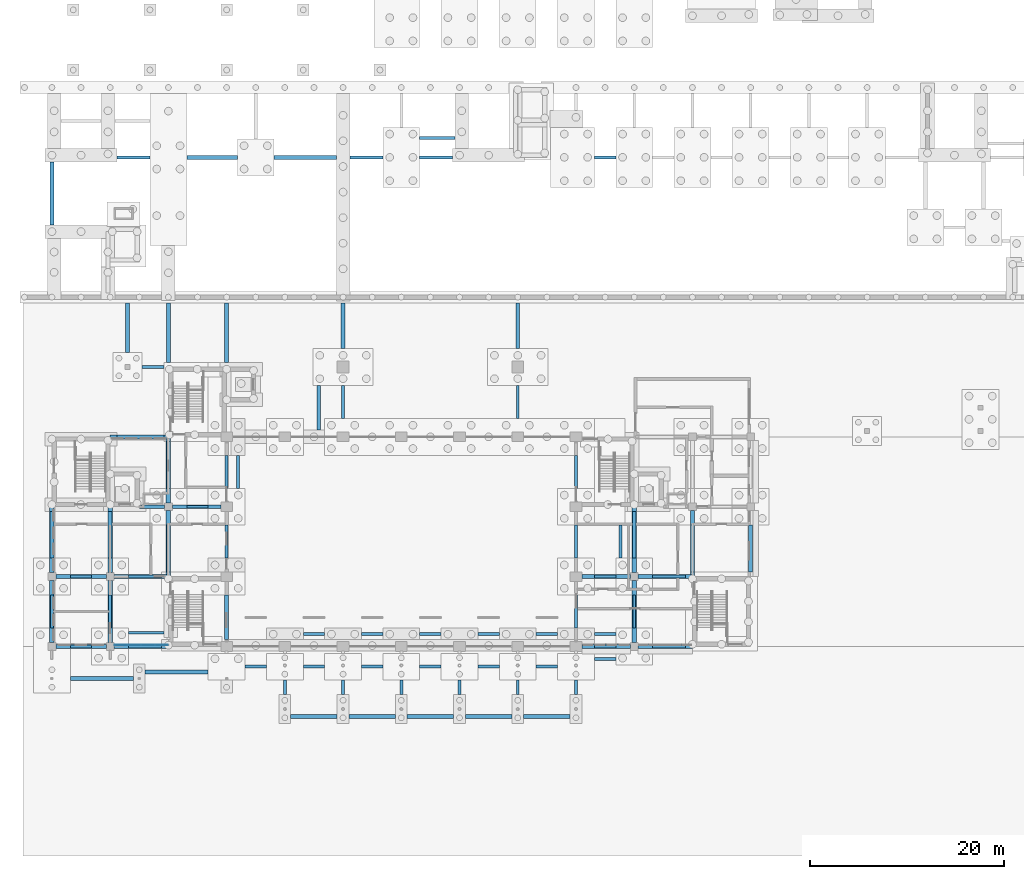
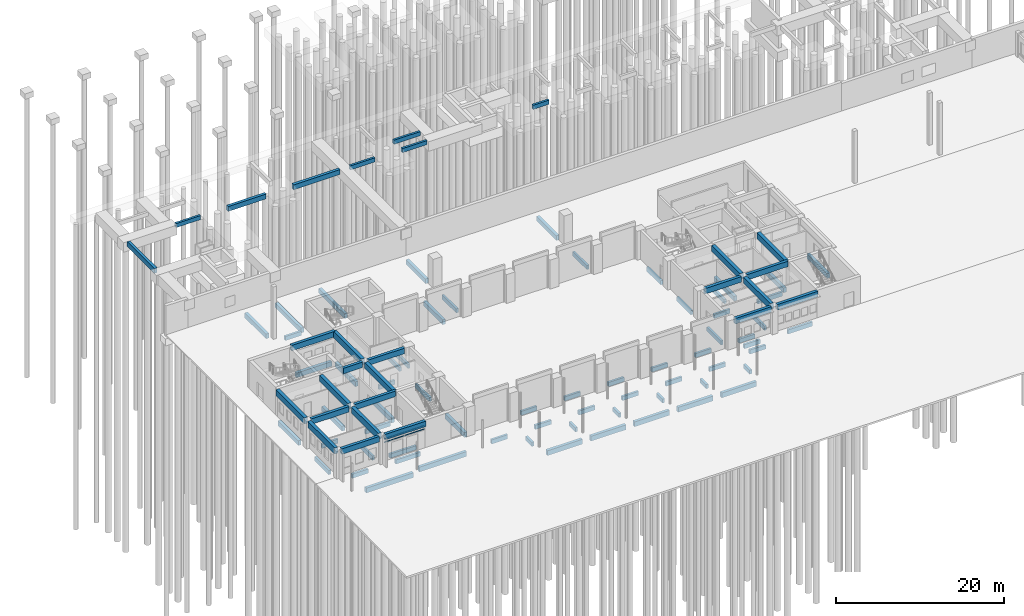
# One storey, part 13 of 37: 92 beams, 8 members, 1 element without a shape of its own.
"""IFC4 building model written with IfcOpenShell, lengths in metres."""

from ifc_helpers import new_model, si_unit, direction, frame, origin, origin_2d, place, context, subcontext, project, spatial, rectangle, hollow_rectangle, extrude, material, material_profile, profile_set, type_object, element, aggregate, save


model = new_model("IFC4")

# Units and contexts
model_context = context("Model", 3, precision=1e-05, world=origin(), true_north=direction((0.0, 1.0)))
body_context = subcontext(model_context, "Body", "Model", "MODEL_VIEW")
ifc_project = project(units=[si_unit("LENGTHUNIT", "METRE"), si_unit("AREAUNIT", "SQUARE_METRE"), si_unit("VOLUMEUNIT", "CUBIC_METRE"), si_unit("PLANEANGLEUNIT", "RADIAN"), si_unit("MASSUNIT", "GRAM", prefix="KILO")], contexts=[model_context])

# Site, building, storey
site_placement = place(None, origin())
site = spatial("IfcSite", under=ifc_project, at=site_placement, CompositionType="ELEMENT")
building_placement = place(site_placement, origin())
building = spatial("IfcBuilding", under=site, at=building_placement, Name="Laocheng Heights Fire and Rescue Headquarters", CompositionType="ELEMENT")
storey_placement = place(building_placement, origin())
storey = spatial("IfcBuildingStorey", under=building, at=storey_placement, Name="L00", CompositionType="ELEMENT", Elevation=0.0)

# Curtain wall, members
ifc_material_1 = material(Name="Aluminium unitised curtain wall, low-e double glazing", Category="aluminium")
curtain_wall_type = type_object("IfcCurtainWallType", Name="CW 5600 x 600 FLANK W UNIT", PredefinedType="NOTDEFINED", material=ifc_material_1)
curtain_wall_placement = place(storey_placement, origin())
curtain_wall = element("IfcCurtainWall", 1, at=curtain_wall_placement, inside=storey, type_object=curtain_wall_type, Name="Flank_W entrance glazing L00", PredefinedType="NOTDEFINED")
ifc_material_2 = material(Name="Aluminium 6063-T5 extrusion", Category="aluminium")
ifc_material_profile_1 = material_profile(ifc_material_2, hollow_rectangle(XDim=0.050048828125, YDim=0.10009765625, WallThickness=0.0029296875, at=origin_2d()), Name="AL TRANSOM 100x50x3")
ifc_profile_set_1 = profile_set([ifc_material_profile_1], Name="Aluminium 6063-T5 extrusion")
member_type = type_object("IfcMemberType", Name="AL CURTAIN WALL TRANSOM 100x50x3", PredefinedType="USERDEFINED", material=ifc_profile_set_1)
member_1_placement = place(storey_placement, frame((6.4599609375, 0.14990234375, 2.64990234375), z_axis=(1.0, 0.0, 0.0), x_axis=(0.0, 1.0, 0.0)))
member_1 = element("IfcMember", 2, at=member_1_placement, type_object=member_type, Name="X1-E transom 1.1", ObjectType="TRANSOM", PredefinedType="USERDEFINED", context=body_context, shape_type="SweptSolid", body=[
    extrude(hollow_rectangle(XDim=0.050048828125, YDim=0.10009765625, WallThickness=0.0029296875, at=origin_2d()), origin(), (0.0, 0.0, 1.0), 1.31005859375),
])
member_2_placement = place(storey_placement, frame((6.4599609375, 0.14990234375, 3.14990234375), z_axis=(1.0, 0.0, 0.0), x_axis=(0.0, 1.0, 0.0)))
member_2 = element("IfcMember", 3, at=member_2_placement, type_object=member_type, Name="X1-E transom 1.2", ObjectType="TRANSOM", PredefinedType="USERDEFINED", context=body_context, shape_type="SweptSolid", body=[
    extrude(hollow_rectangle(XDim=0.050048828125, YDim=0.10009765625, WallThickness=0.0029296875, at=origin_2d()), origin(), (0.0, 0.0, 1.0), 1.31005859375),
])
member_3_placement = place(storey_placement, frame((7.830078125, 0.14990234375, 2.64990234375), z_axis=(1.0, 0.0, 0.0), x_axis=(0.0, 1.0, 0.0)))
member_3 = element("IfcMember", 4, at=member_3_placement, type_object=member_type, Name="X1-E transom 2.1", ObjectType="TRANSOM", PredefinedType="USERDEFINED", context=body_context, shape_type="SweptSolid", body=[
    extrude(hollow_rectangle(XDim=0.050048828125, YDim=0.10009765625, WallThickness=0.0029296875, at=origin_2d()), origin(), (0.0, 0.0, 1.0), 1.33984375),
])
member_4_placement = place(storey_placement, frame((7.830078125, 0.14990234375, 3.14990234375), z_axis=(1.0, 0.0, 0.0), x_axis=(0.0, 1.0, 0.0)))
member_4 = element("IfcMember", 5, at=member_4_placement, type_object=member_type, Name="X1-E transom 2.2", ObjectType="TRANSOM", PredefinedType="USERDEFINED", context=body_context, shape_type="SweptSolid", body=[
    extrude(hollow_rectangle(XDim=0.050048828125, YDim=0.10009765625, WallThickness=0.0029296875, at=origin_2d()), origin(), (0.0, 0.0, 1.0), 1.33984375),
])
member_5_placement = place(storey_placement, frame((9.22998046875, 0.14990234375, 2.64990234375), z_axis=(1.0, 0.0, 0.0), x_axis=(0.0, 1.0, 0.0)))
member_5 = element("IfcMember", 6, at=member_5_placement, type_object=member_type, Name="X1-E transom 3.1", ObjectType="TRANSOM", PredefinedType="USERDEFINED", context=body_context, shape_type="SweptSolid", body=[
    extrude(hollow_rectangle(XDim=0.050048828125, YDim=0.10009765625, WallThickness=0.0029296875, at=origin_2d()), origin(), (0.0, 0.0, 1.0), 1.340087890625),
])
member_6_placement = place(storey_placement, frame((9.22998046875, 0.14990234375, 3.14990234375), z_axis=(1.0, 0.0, 0.0), x_axis=(0.0, 1.0, 0.0)))
member_6 = element("IfcMember", 7, at=member_6_placement, type_object=member_type, Name="X1-E transom 3.2", ObjectType="TRANSOM", PredefinedType="USERDEFINED", context=body_context, shape_type="SweptSolid", body=[
    extrude(hollow_rectangle(XDim=0.050048828125, YDim=0.10009765625, WallThickness=0.0029296875, at=origin_2d()), origin(), (0.0, 0.0, 1.0), 1.340087890625),
])
member_7_placement = place(storey_placement, frame((10.6298828125, 0.14990234375, 2.64990234375), z_axis=(1.0, 0.0, 0.0), x_axis=(0.0, 1.0, 0.0)))
member_7 = element("IfcMember", 8, at=member_7_placement, type_object=member_type, Name="X1-E transom 4.1", ObjectType="TRANSOM", PredefinedType="USERDEFINED", context=body_context, shape_type="SweptSolid", body=[
    extrude(hollow_rectangle(XDim=0.050048828125, YDim=0.10009765625, WallThickness=0.0029296875, at=origin_2d()), origin(), (0.0, 0.0, 1.0), 1.31005859375),
])
member_8_placement = place(storey_placement, frame((10.6298828125, 0.14990234375, 3.14990234375), z_axis=(1.0, 0.0, 0.0), x_axis=(0.0, 1.0, 0.0)))
member_8 = element("IfcMember", 9, at=member_8_placement, type_object=member_type, Name="X1-E transom 4.2", ObjectType="TRANSOM", PredefinedType="USERDEFINED", context=body_context, shape_type="SweptSolid", body=[
    extrude(hollow_rectangle(XDim=0.050048828125, YDim=0.10009765625, WallThickness=0.0029296875, at=origin_2d()), origin(), (0.0, 0.0, 1.0), 1.31005859375),
])
aggregate(curtain_wall, [member_1, member_2, member_3, member_4, member_5, member_6, member_7, member_8])

# Beams
ifc_material_3 = material(Name="Concrete C40", Category="concrete")
ifc_material_profile_2 = material_profile(ifc_material_3, rectangle(XDim=0.39990234375, YDim=0.800048828125, at=origin_2d()), Name="RC BEAM 400x800 PAVILION FLOOR")
ifc_profile_set_2 = profile_set([ifc_material_profile_2], Name="Concrete C40")
beam_type_1 = type_object("IfcBeamType", Name="RC BEAM 400x800 PAVILION FLOOR", PredefinedType="BEAM", material=ifc_profile_set_2)
beam_1_placement = place(storey_placement, frame((0.39990234375, 0.0, 3.60009765625), z_axis=(1.0, 0.0, 0.0), x_axis=(0.0, 1.0, 0.0)))
element("IfcBeam", 10, at=beam_1_placement, inside=storey, type_object=beam_type_1, Name="Pavilion beam", PredefinedType="BEAM", context=body_context, shape_type="SweptSolid", body=[
    extrude(rectangle(XDim=0.39990234375, YDim=0.800048828125, at=origin_2d()), origin(), (0.0, 0.0, 1.0), 5.2001953125),
])
beam_2_placement = place(storey_placement, frame((6.39990234375, 0.0, 3.60009765625), z_axis=(1.0, 0.0, 0.0), x_axis=(0.0, 1.0, 0.0)))
element("IfcBeam", 11, at=beam_2_placement, inside=storey, type_object=beam_type_1, Name="Pavilion beam", PredefinedType="BEAM", context=body_context, shape_type="SweptSolid", body=[
    extrude(rectangle(XDim=0.39990234375, YDim=0.800048828125, at=origin_2d()), origin(), (0.0, 0.0, 1.0), 5.60009765625),
])
beam_3_placement = place(storey_placement, frame((0.39990234375, 7.199951171875, 3.60009765625), z_axis=(1.0, 0.0, 0.0), x_axis=(0.0, 1.0, 0.0)))
element("IfcBeam", 12, at=beam_3_placement, inside=storey, type_object=beam_type_1, Name="Pavilion beam", PredefinedType="BEAM", context=body_context, shape_type="SweptSolid", body=[
    extrude(rectangle(XDim=0.39990234375, YDim=0.800048828125, at=origin_2d()), origin(), (0.0, 0.0, 1.0), 5.2001953125),
])
beam_4_placement = place(storey_placement, frame((6.39990234375, 7.199951171875, 3.60009765625), z_axis=(1.0, 0.0, 0.0), x_axis=(0.0, 1.0, 0.0)))
element("IfcBeam", 13, at=beam_4_placement, inside=storey, type_object=beam_type_1, Name="Pavilion beam", PredefinedType="BEAM", context=body_context, shape_type="SweptSolid", body=[
    extrude(rectangle(XDim=0.39990234375, YDim=0.800048828125, at=origin_2d()), origin(), (0.0, 0.0, 1.0), 5.60009765625),
])
beam_5_placement = place(storey_placement, frame((9.0, 14.39990234375, 3.60009765625), z_axis=(1.0, 0.0, 0.0), x_axis=(0.0, 1.0, 0.0)))
element("IfcBeam", 14, at=beam_5_placement, inside=storey, type_object=beam_type_1, Name="Pavilion beam", PredefinedType="BEAM", context=body_context, shape_type="SweptSolid", body=[
    extrude(rectangle(XDim=0.39990234375, YDim=0.800048828125, at=origin_2d()), origin(), (0.0, 0.0, 1.0), 2.60009765625),
])
beam_6_placement = place(storey_placement, frame((12.39990234375, 14.39990234375, 3.60009765625), z_axis=(1.0, 0.0, 0.0), x_axis=(0.0, 1.0, 0.0)))
element("IfcBeam", 15, at=beam_6_placement, inside=storey, type_object=beam_type_1, Name="Pavilion beam", PredefinedType="BEAM", context=body_context, shape_type="SweptSolid", body=[
    extrude(rectangle(XDim=0.39990234375, YDim=0.800048828125, at=origin_2d()), origin(), (0.0, 0.0, 1.0), 5.0),
])
beam_7_placement = place(storey_placement, frame((6.0, 21.60009765625, 3.60009765625), z_axis=(1.0, 0.0, 0.0), x_axis=(0.0, 1.0, 0.0)))
element("IfcBeam", 16, at=beam_7_placement, inside=storey, type_object=beam_type_1, Name="Pavilion beam", PredefinedType="BEAM", context=body_context, shape_type="SweptSolid", body=[
    extrude(rectangle(XDim=0.39990234375, YDim=0.800048828125, at=origin_2d()), origin(), (0.0, 0.0, 1.0), 6.0),
])
beam_8_placement = place(storey_placement, frame((54.60009765625, 0.0, 3.60009765625), z_axis=(1.0, 0.0, 0.0), x_axis=(0.0, 1.0, 0.0)))
element("IfcBeam", 17, at=beam_8_placement, inside=storey, type_object=beam_type_1, Name="Pavilion beam", PredefinedType="BEAM", context=body_context, shape_type="SweptSolid", body=[
    extrude(rectangle(XDim=0.39990234375, YDim=0.800048828125, at=origin_2d()), origin(), (0.0, 0.0, 1.0), 5.0),
])
beam_9_placement = place(storey_placement, frame((60.39990234375, 0.0, 3.60009765625), z_axis=(1.0, 0.0, 0.0), x_axis=(0.0, 1.0, 0.0)))
element("IfcBeam", 18, at=beam_9_placement, inside=storey, type_object=beam_type_1, Name="Pavilion beam", PredefinedType="BEAM", context=body_context, shape_type="SweptSolid", body=[
    extrude(rectangle(XDim=0.39990234375, YDim=0.800048828125, at=origin_2d()), origin(), (0.0, 0.0, 1.0), 5.60009765625),
])
beam_10_placement = place(storey_placement, frame((54.60009765625, 7.199951171875, 3.60009765625), z_axis=(1.0, 0.0, 0.0), x_axis=(0.0, 1.0, 0.0)))
element("IfcBeam", 19, at=beam_10_placement, inside=storey, type_object=beam_type_1, Name="Pavilion beam", PredefinedType="BEAM", context=body_context, shape_type="SweptSolid", body=[
    extrude(rectangle(XDim=0.39990234375, YDim=0.800048828125, at=origin_2d()), origin(), (0.0, 0.0, 1.0), 5.0),
])
beam_11_placement = place(storey_placement, frame((60.39990234375, 7.199951171875, 3.60009765625), z_axis=(1.0, 0.0, 0.0), x_axis=(0.0, 1.0, 0.0)))
element("IfcBeam", 20, at=beam_11_placement, inside=storey, type_object=beam_type_1, Name="Pavilion beam", PredefinedType="BEAM", context=body_context, shape_type="SweptSolid", body=[
    extrude(rectangle(XDim=0.39990234375, YDim=0.800048828125, at=origin_2d()), origin(), (0.0, 0.0, 1.0), 5.60009765625),
])
ifc_material_4 = material(Name="Concrete C40", Category="concrete")
ifc_material_profile_3 = material_profile(ifc_material_4, rectangle(XDim=0.449951171875, YDim=0.89990234375, at=origin_2d()), Name="RC BEAM 450x900 PAVILION FLOOR")
ifc_profile_set_3 = profile_set([ifc_material_profile_3], Name="Concrete C40")
beam_type_2 = type_object("IfcBeamType", Name="RC BEAM 450x900 PAVILION FLOOR", PredefinedType="BEAM", material=ifc_profile_set_3)
beam_12_placement = place(storey_placement, frame((0.0, 0.39990234375, 3.550048828125), z_axis=(0.0, 1.0, 0.0), x_axis=(-1.0, 0.0, 0.0)))
element("IfcBeam", 21, at=beam_12_placement, inside=storey, type_object=beam_type_2, Name="Pavilion beam", PredefinedType="BEAM", context=body_context, shape_type="SweptSolid", body=[
    extrude(rectangle(XDim=0.449951171875, YDim=0.89990234375, at=origin_2d()), origin(), (0.0, 0.0, 1.0), 6.400146484375),
])
beam_13_placement = place(storey_placement, frame((0.0, 7.60009765625, 3.550048828125), z_axis=(0.0, 1.0, 0.0), x_axis=(-1.0, 0.0, 0.0)))
element("IfcBeam", 22, at=beam_13_placement, inside=storey, type_object=beam_type_2, Name="Pavilion beam", PredefinedType="BEAM", context=body_context, shape_type="SweptSolid", body=[
    extrude(rectangle(XDim=0.449951171875, YDim=0.89990234375, at=origin_2d()), origin(), (0.0, 0.0, 1.0), 6.7998046875),
])
beam_14_placement = place(storey_placement, frame((6.0, 0.39990234375, 3.550048828125), z_axis=(0.0, 1.0, 0.0), x_axis=(-1.0, 0.0, 0.0)))
element("IfcBeam", 23, at=beam_14_placement, inside=storey, type_object=beam_type_2, Name="Pavilion beam", PredefinedType="BEAM", context=body_context, shape_type="SweptSolid", body=[
    extrude(rectangle(XDim=0.449951171875, YDim=0.89990234375, at=origin_2d()), origin(), (0.0, 0.0, 1.0), 6.400146484375),
])
beam_15_placement = place(storey_placement, frame((6.0, 7.60009765625, 3.550048828125), z_axis=(0.0, 1.0, 0.0), x_axis=(-1.0, 0.0, 0.0)))
element("IfcBeam", 24, at=beam_15_placement, inside=storey, type_object=beam_type_2, Name="Pavilion beam", PredefinedType="BEAM", context=body_context, shape_type="SweptSolid", body=[
    extrude(rectangle(XDim=0.449951171875, YDim=0.89990234375, at=origin_2d()), origin(), (0.0, 0.0, 1.0), 6.7998046875),
])
for number, where, z_axis, x_axis, name in (
    (25, (12.0, 7.199951171875, 3.550048828125), (0.0, 1.0, 0.0), (-1.0, 0.0, 0.0), "Pavilion beam"),
    (26, (12.0, 14.800048828125, 3.550048828125), (0.0, 1.0, 0.0), (-1.0, 0.0, 0.0), "Pavilion beam"),
):
    element("IfcBeam", number, at=place(storey_placement, frame(where, z_axis=z_axis, x_axis=x_axis)), inside=storey, type_object=beam_type_2, Name=name, PredefinedType="BEAM", context=body_context, shape_type="SweptSolid", body=[
        extrude(rectangle(XDim=0.449951171875, YDim=0.89990234375, at=origin_2d()), origin(), (0.0, 0.0, 1.0), 6.800048828125),
    ])
beam_16_placement = place(storey_placement, frame((60.0, 0.39990234375, 3.550048828125), z_axis=(0.0, 1.0, 0.0), x_axis=(-1.0, 0.0, 0.0)))
element("IfcBeam", 27, at=beam_16_placement, inside=storey, type_object=beam_type_2, Name="Pavilion beam", PredefinedType="BEAM", context=body_context, shape_type="SweptSolid", body=[
    extrude(rectangle(XDim=0.449951171875, YDim=0.89990234375, at=origin_2d()), origin(), (0.0, 0.0, 1.0), 6.400146484375),
])
beam_17_placement = place(storey_placement, frame((60.0, 7.60009765625, 3.550048828125), z_axis=(0.0, 1.0, 0.0), x_axis=(-1.0, 0.0, 0.0)))
element("IfcBeam", 28, at=beam_17_placement, inside=storey, type_object=beam_type_2, Name="Pavilion beam", PredefinedType="BEAM", context=body_context, shape_type="SweptSolid", body=[
    extrude(rectangle(XDim=0.449951171875, YDim=0.89990234375, at=origin_2d()), origin(), (0.0, 0.0, 1.0), 6.7998046875),
])
beam_18_placement = place(storey_placement, frame((66.0, 7.199951171875, 3.550048828125), z_axis=(0.0, 1.0, 0.0), x_axis=(-1.0, 0.0, 0.0)))
element("IfcBeam", 29, at=beam_18_placement, inside=storey, type_object=beam_type_2, Name="Pavilion beam", PredefinedType="BEAM", context=body_context, shape_type="SweptSolid", body=[
    extrude(rectangle(XDim=0.449951171875, YDim=0.89990234375, at=origin_2d()), origin(), (0.0, 0.0, 1.0), 6.800048828125),
])
ifc_material_5 = material(Name="Concrete C40", Category="concrete")
ifc_material_profile_4 = material_profile(ifc_material_5, rectangle(XDim=0.300048828125, YDim=0.60009765625, at=origin_2d()), Name="RC GROUND BEAM 300x600")
ifc_profile_set_4 = profile_set([ifc_material_profile_4], Name="Concrete C40")
beam_type_3 = type_object("IfcBeamType", Name="RC GROUND BEAM 300x600", PredefinedType="BEAM", material=ifc_profile_set_4)
for number, where, z_axis, x_axis, name in (
    (30, (24.0, -4.949951171875, -0.678955078125), (0.0, 1.0, 0.0), (-1.0, 0.0, 0.0), "Ground beam GB226"),
    (31, (30.0, -4.949951171875, -0.678955078125), (0.0, 1.0, 0.0), (-1.0, 0.0, 0.0), "Ground beam GB227"),
    (32, (36.0, -4.949951171875, -0.678955078125), (0.0, 1.0, 0.0), (-1.0, 0.0, 0.0), "Ground beam GB228"),
    (33, (42.0, -4.949951171875, -0.678955078125), (0.0, 1.0, 0.0), (-1.0, 0.0, 0.0), "Ground beam GB229"),
    (34, (48.0, -4.949951171875, -0.678955078125), (0.0, 1.0, 0.0), (-1.0, 0.0, 0.0), "Ground beam GB230"),
    (35, (54.0, -4.949951171875, -0.678955078125), (0.0, 1.0, 0.0), (-1.0, 0.0, 0.0), "Ground beam GB231"),
):
    element("IfcBeam", number, at=place(storey_placement, frame(where, z_axis=z_axis, x_axis=x_axis)), inside=storey, type_object=beam_type_3, Name=name, PredefinedType="BEAM", context=body_context, shape_type="SweptSolid", body=[
        extrude(rectangle(XDim=0.300048828125, YDim=0.60009765625, at=origin_2d()), origin(), (0.0, 0.0, 1.0), 1.5),
    ])
for number, where, z_axis, x_axis, name in (
    (36, (19.89990234375, -2.074951171875, -0.589111328125), (1.0, 0.0, 0.0), (0.0, 1.0, 0.0), "Ground beam GB233"),
    (37, (25.89990234375, -2.074951171875, -0.589111328125), (1.0, 0.0, 0.0), (0.0, 1.0, 0.0), "Ground beam GB234"),
    (38, (31.89990234375, -2.074951171875, -0.589111328125), (1.0, 0.0, 0.0), (0.0, 1.0, 0.0), "Ground beam GB235"),
    (39, (37.89990234375, -2.074951171875, -0.589111328125), (1.0, 0.0, 0.0), (0.0, 1.0, 0.0), "Ground beam GB236"),
    (40, (43.89990234375, -2.074951171875, -0.589111328125), (1.0, 0.0, 0.0), (0.0, 1.0, 0.0), "Ground beam GB237"),
    (41, (49.89990234375, -2.074951171875, -0.589111328125), (1.0, 0.0, 0.0), (0.0, 1.0, 0.0), "Ground beam GB238"),
    (42, (55.89990234375, -1.300048828125, -0.589111328125), (1.0, 0.0, 0.0), (0.0, 1.0, 0.0), "Ground beam GB239"),
    (43, (1.89990234375, 0.0, -0.550048828125), (1.0, 0.0, 0.0), (0.0, 1.0, 0.0), "Ground beam GB28"),
):
    element("IfcBeam", number, at=place(storey_placement, frame(where, z_axis=z_axis, x_axis=x_axis)), inside=storey, type_object=beam_type_3, Name=name, PredefinedType="BEAM", context=body_context, shape_type="SweptSolid", body=[
        extrude(rectangle(XDim=0.300048828125, YDim=0.60009765625, at=origin_2d()), origin(), (0.0, 0.0, 1.0), 2.2001953125),
    ])
beam_19_placement = place(storey_placement, frame((7.89990234375, 0.0, -0.589111328125), z_axis=(1.0, 0.0, 0.0), x_axis=(0.0, 1.0, 0.0)))
element("IfcBeam", 44, at=beam_19_placement, inside=storey, type_object=beam_type_3, Name="Ground beam GB247", PredefinedType="BEAM", context=body_context, shape_type="SweptSolid", body=[
    extrude(rectangle(XDim=0.300048828125, YDim=0.60009765625, at=origin_2d()), origin(), (0.0, 0.0, 1.0), 3.400146484375),
])
beam_20_placement = place(storey_placement, frame((55.89990234375, 0.0, -0.589111328125), z_axis=(1.0, 0.0, 0.0), x_axis=(0.0, 1.0, 0.0)))
element("IfcBeam", 45, at=beam_20_placement, inside=storey, type_object=beam_type_3, Name="Ground beam GB248", PredefinedType="BEAM", context=body_context, shape_type="SweptSolid", body=[
    extrude(rectangle(XDim=0.300048828125, YDim=0.60009765625, at=origin_2d()), origin(), (0.0, 0.0, 1.0), 2.2001953125),
])
beam_21_placement = place(storey_placement, frame((61.89990234375, 0.0, -0.550048828125), z_axis=(1.0, 0.0, 0.0), x_axis=(0.0, 1.0, 0.0)))
element("IfcBeam", 46, at=beam_21_placement, inside=storey, type_object=beam_type_3, Name="Ground beam GB31", PredefinedType="BEAM", context=body_context, shape_type="SweptSolid", body=[
    extrude(rectangle(XDim=0.300048828125, YDim=0.60009765625, at=origin_2d()), origin(), (0.0, 0.0, 1.0), 3.400146484375),
])
for number, where, z_axis, x_axis, name in (
    (47, (25.89990234375, 1.300048828125, -0.589111328125), (1.0, 0.0, 0.0), (0.0, 1.0, 0.0), "Ground beam GB251"),
    (48, (31.89990234375, 1.300048828125, -0.589111328125), (1.0, 0.0, 0.0), (0.0, 1.0, 0.0), "Ground beam GB252"),
    (49, (37.89990234375, 1.300048828125, -0.589111328125), (1.0, 0.0, 0.0), (0.0, 1.0, 0.0), "Ground beam GB253"),
    (50, (43.89990234375, 1.300048828125, -0.589111328125), (1.0, 0.0, 0.0), (0.0, 1.0, 0.0), "Ground beam GB254"),
    (51, (49.89990234375, 1.300048828125, -0.589111328125), (1.0, 0.0, 0.0), (0.0, 1.0, 0.0), "Ground beam GB255"),
    (52, (55.89990234375, 1.300048828125, -0.589111328125), (1.0, 0.0, 0.0), (0.0, 1.0, 0.0), "Ground beam GB256"),
):
    element("IfcBeam", number, at=place(storey_placement, frame(where, z_axis=z_axis, x_axis=x_axis)), inside=storey, type_object=beam_type_3, Name=name, PredefinedType="BEAM", context=body_context, shape_type="SweptSolid", body=[
        extrude(rectangle(XDim=0.300048828125, YDim=0.60009765625, at=origin_2d()), origin(), (0.0, 0.0, 1.0), 2.2001953125),
    ])
beam_22_placement = place(storey_placement, frame((7.89990234375, 1.41259765625, -0.589111328125), z_axis=(1.0, 0.0, 0.0), x_axis=(0.0, 1.0, 0.0)))
element("IfcBeam", 53, at=beam_22_placement, inside=storey, type_object=beam_type_3, Name="Ground beam GB257", PredefinedType="BEAM", context=body_context, shape_type="SweptSolid", body=[
    extrude(rectangle(XDim=0.300048828125, YDim=0.60009765625, at=origin_2d()), origin(), (0.0, 0.0, 1.0), 3.625),
])
for number, where, z_axis, x_axis, name in (
    (54, (0.0, 1.89990234375, -0.550048828125), (0.0, 1.0, 0.0), (-1.0, 0.0, 0.0), "Ground beam GB44"),
    (55, (6.0, 1.89990234375, -0.550048828125), (0.0, 1.0, 0.0), (-1.0, 0.0, 0.0), "Ground beam GB45"),
    (56, (54.0, 1.89990234375, -0.589111328125), (0.0, 1.0, 0.0), (-1.0, 0.0, 0.0), "Ground beam GB258"),
    (57, (60.0, 1.89990234375, -0.550048828125), (0.0, 1.0, 0.0), (-1.0, 0.0, 0.0), "Ground beam GB47"),
):
    element("IfcBeam", number, at=place(storey_placement, frame(where, z_axis=z_axis, x_axis=x_axis)), inside=storey, type_object=beam_type_3, Name=name, PredefinedType="BEAM", context=body_context, shape_type="SweptSolid", body=[
        extrude(rectangle(XDim=0.300048828125, YDim=0.60009765625, at=origin_2d()), origin(), (0.0, 0.0, 1.0), 3.400146484375),
    ])
beam_23_placement = place(storey_placement, frame((1.89990234375, 7.199951171875, -0.550048828125), z_axis=(1.0, 0.0, 0.0), x_axis=(0.0, 1.0, 0.0)))
element("IfcBeam", 58, at=beam_23_placement, inside=storey, type_object=beam_type_3, Name="Ground beam GB52", PredefinedType="BEAM", context=body_context, shape_type="SweptSolid", body=[
    extrude(rectangle(XDim=0.300048828125, YDim=0.60009765625, at=origin_2d()), origin(), (0.0, 0.0, 1.0), 2.2001953125),
])
beam_24_placement = place(storey_placement, frame((7.89990234375, 7.199951171875, -0.589111328125), z_axis=(1.0, 0.0, 0.0), x_axis=(0.0, 1.0, 0.0)))
element("IfcBeam", 59, at=beam_24_placement, inside=storey, type_object=beam_type_3, Name="Ground beam GB259", PredefinedType="BEAM", context=body_context, shape_type="SweptSolid", body=[
    extrude(rectangle(XDim=0.300048828125, YDim=0.60009765625, at=origin_2d()), origin(), (0.0, 0.0, 1.0), 3.400146484375),
])
beam_25_placement = place(storey_placement, frame((55.89990234375, 7.199951171875, -0.550048828125), z_axis=(1.0, 0.0, 0.0), x_axis=(0.0, 1.0, 0.0)))
element("IfcBeam", 60, at=beam_25_placement, inside=storey, type_object=beam_type_3, Name="Ground beam GB54", PredefinedType="BEAM", context=body_context, shape_type="SweptSolid", body=[
    extrude(rectangle(XDim=0.300048828125, YDim=0.60009765625, at=origin_2d()), origin(), (0.0, 0.0, 1.0), 2.2001953125),
])
beam_26_placement = place(storey_placement, frame((61.89990234375, 7.199951171875, -0.550048828125), z_axis=(1.0, 0.0, 0.0), x_axis=(0.0, 1.0, 0.0)))
element("IfcBeam", 61, at=beam_26_placement, inside=storey, type_object=beam_type_3, Name="Ground beam GB55", PredefinedType="BEAM", context=body_context, shape_type="SweptSolid", body=[
    extrude(rectangle(XDim=0.300048828125, YDim=0.60009765625, at=origin_2d()), origin(), (0.0, 0.0, 1.0), 3.400146484375),
])
for number, where, z_axis, x_axis, name in (
    (62, (18.0, 9.10009765625, -0.589111328125), (0.0, 1.0, 0.0), (-1.0, 0.0, 0.0), "Ground beam GB261"),
    (63, (54.0, 9.10009765625, -0.550048828125), (0.0, 1.0, 0.0), (-1.0, 0.0, 0.0), "Ground beam GB65"),
    (64, (58.58740234375, 9.10009765625, -0.550048828125), (0.0, 1.0, 0.0), (-1.0, 0.0, 0.0), "Ground beam GB66"),
):
    element("IfcBeam", number, at=place(storey_placement, frame(where, z_axis=z_axis, x_axis=x_axis)), inside=storey, type_object=beam_type_3, Name=name, PredefinedType="BEAM", context=body_context, shape_type="SweptSolid", body=[
        extrude(rectangle(XDim=0.300048828125, YDim=0.60009765625, at=origin_2d()), origin(), (0.0, 0.0, 1.0), 3.39990234375),
    ])
beam_27_placement = place(storey_placement, frame((13.89990234375, 14.39990234375, -0.550048828125), z_axis=(1.0, 0.0, 0.0), x_axis=(0.0, 1.0, 0.0)))
element("IfcBeam", 65, at=beam_27_placement, inside=storey, type_object=beam_type_3, Name="Ground beam GB72", PredefinedType="BEAM", context=body_context, shape_type="SweptSolid", body=[
    extrude(rectangle(XDim=0.300048828125, YDim=0.60009765625, at=origin_2d()), origin(), (0.0, 0.0, 1.0), 2.2001953125),
])
for number, where, z_axis, x_axis, name in (
    (66, (18.0, 16.300048828125, -0.550048828125), (0.0, 1.0, 0.0), (-1.0, 0.0, 0.0), "Ground beam GB78"),
    (67, (19.1875, 16.300048828125, -0.550048828125), (0.0, 1.0, 0.0), (-1.0, 0.0, 0.0), "Ground beam GB79"),
    (68, (54.0, 16.300048828125, -0.550048828125), (0.0, 1.0, 0.0), (-1.0, 0.0, 0.0), "Ground beam GB80"),
    (69, (30.0, 23.5, -0.60009765625), (0.0, 1.0, 0.0), (-1.0, 0.0, 0.0), "Ground beam GB94"),
    (70, (48.0, 23.5, -0.60009765625), (0.0, 1.0, 0.0), (-1.0, 0.0, 0.0), "Ground beam GB95"),
):
    element("IfcBeam", number, at=place(storey_placement, frame(where, z_axis=z_axis, x_axis=x_axis)), inside=storey, type_object=beam_type_3, Name=name, PredefinedType="BEAM", context=body_context, shape_type="SweptSolid", body=[
        extrude(rectangle(XDim=0.300048828125, YDim=0.60009765625, at=origin_2d()), origin(), (0.0, 0.0, 1.0), 3.39990234375),
    ])
beam_28_placement = place(storey_placement, frame((9.300048828125, 28.800048828125, -0.550048828125), z_axis=(1.0, 0.0, 0.0), x_axis=(0.0, 1.0, 0.0)))
element("IfcBeam", 71, at=beam_28_placement, inside=storey, type_object=beam_type_3, Name="Ground beam GB99", PredefinedType="BEAM", context=body_context, shape_type="SweptSolid", body=[
    extrude(rectangle(XDim=0.300048828125, YDim=0.60009765625, at=origin_2d()), origin(), (0.0, 0.0, 1.0), 2.224853515625),
])
for number, where, z_axis, x_axis, name in (
    (72, (6.699951171875, 50.39990234375, 3.699951171875), (1.0, 0.0, 0.0), (0.0, 1.0, 0.0), "Ground beam GB112"),
    (73, (30.699951171875, 50.39990234375, 3.699951171875), (1.0, 0.0, 0.0), (0.0, 1.0, 0.0), "Ground beam GB115"),
    (74, (37.89990234375, 50.39990234375, 3.699951171875), (1.0, 0.0, 0.0), (0.0, 1.0, 0.0), "Ground beam GB116"),
):
    element("IfcBeam", number, at=place(storey_placement, frame(where, z_axis=z_axis, x_axis=x_axis)), inside=storey, type_object=beam_type_3, Name=name, PredefinedType="BEAM", context=body_context, shape_type="SweptSolid", body=[
        extrude(rectangle(XDim=0.300048828125, YDim=0.60009765625, at=origin_2d()), origin(), (0.0, 0.0, 1.0), 3.400146484375),
    ])
beam_29_placement = place(storey_placement, frame((55.89990234375, 50.39990234375, 3.699951171875), z_axis=(1.0, 0.0, 0.0), x_axis=(0.0, 1.0, 0.0)))
element("IfcBeam", 75, at=beam_29_placement, inside=storey, type_object=beam_type_3, Name="Ground beam GB117", PredefinedType="BEAM", context=body_context, shape_type="SweptSolid", body=[
    extrude(rectangle(XDim=0.300048828125, YDim=0.60009765625, at=origin_2d()), origin(), (0.0, 0.0, 1.0), 2.2001953125),
])
beam_30_placement = place(storey_placement, frame((37.89990234375, 52.41259765625, 3.699951171875), z_axis=(1.0, 0.0, 0.0), x_axis=(0.0, 1.0, 0.0)))
element("IfcBeam", 76, at=beam_30_placement, inside=storey, type_object=beam_type_3, Name="Ground beam GB129", PredefinedType="BEAM", context=body_context, shape_type="SweptSolid", body=[
    extrude(rectangle(XDim=0.300048828125, YDim=0.60009765625, at=origin_2d()), origin(), (0.0, 0.0, 1.0), 3.625),
])
ifc_material_6 = material(Name="Concrete C40", Category="concrete")
ifc_material_profile_5 = material_profile(ifc_material_6, rectangle(XDim=0.39990234375, YDim=0.699951171875, at=origin_2d()), Name="RC GROUND BEAM 400x700")
ifc_profile_set_5 = profile_set([ifc_material_profile_5], Name="Concrete C40")
beam_type_4 = type_object("IfcBeamType", Name="RC GROUND BEAM 400x700", PredefinedType="BEAM", material=ifc_profile_set_5)
for number, where, z_axis, x_axis, name in (
    (77, (24.60009765625, -7.199951171875, -0.72900390625), (1.0, 0.0, 0.0), (0.0, 1.0, 0.0), "Ground beam GB221"),
    (78, (30.60009765625, -7.199951171875, -0.72900390625), (1.0, 0.0, 0.0), (0.0, 1.0, 0.0), "Ground beam GB222"),
    (79, (36.60009765625, -7.199951171875, -0.72900390625), (1.0, 0.0, 0.0), (0.0, 1.0, 0.0), "Ground beam GB223"),
    (80, (42.60009765625, -7.199951171875, -0.72900390625), (1.0, 0.0, 0.0), (0.0, 1.0, 0.0), "Ground beam GB224"),
    (81, (48.60009765625, -7.199951171875, -0.72900390625), (1.0, 0.0, 0.0), (0.0, 1.0, 0.0), "Ground beam GB225"),
):
    element("IfcBeam", number, at=place(storey_placement, frame(where, z_axis=z_axis, x_axis=x_axis)), inside=storey, type_object=beam_type_4, Name=name, PredefinedType="BEAM", context=body_context, shape_type="SweptSolid", body=[
        extrude(rectangle(XDim=0.39990234375, YDim=0.699951171875, at=origin_2d()), origin(), (0.0, 0.0, 1.0), 4.7998046875),
    ])
for number, where, z_axis, x_axis, name in (
    (82, (1.89990234375, -3.300048828125, -0.60009765625), (1.0, 0.0, 0.0), (0.0, 1.0, 0.0), "Ground beam GB12"),
    (83, (9.60009765625, -2.625, -0.638916015625), (1.0, 0.0, 0.0), (0.0, 1.0, 0.0), "Ground beam GB232"),
):
    element("IfcBeam", number, at=place(storey_placement, frame(where, z_axis=z_axis, x_axis=x_axis)), inside=storey, type_object=beam_type_4, Name=name, PredefinedType="BEAM", context=body_context, shape_type="SweptSolid", body=[
        extrude(rectangle(XDim=0.39990234375, YDim=0.699951171875, at=origin_2d()), origin(), (0.0, 0.0, 1.0), 6.5),
    ])
beam_31_placement = place(storey_placement, frame((18.0, 0.699951171875, -0.638916015625), z_axis=(0.0, 1.0, 0.0), x_axis=(-1.0, 0.0, 0.0)))
element("IfcBeam", 84, at=beam_31_placement, inside=storey, type_object=beam_type_4, Name="Ground beam GB250", PredefinedType="BEAM", context=body_context, shape_type="SweptSolid", body=[
    extrude(rectangle(XDim=0.39990234375, YDim=0.699951171875, at=origin_2d()), origin(), (0.0, 0.0, 1.0), 4.60009765625),
])
for number, where, z_axis, x_axis, name in (
    (85, (12.0, 7.675048828125, -0.638916015625), (0.0, 1.0, 0.0), (-1.0, 0.0, 0.0), "Ground beam GB260"),
    (86, (66.0, 7.675048828125, -0.60009765625), (0.0, 1.0, 0.0), (-1.0, 0.0, 0.0), "Ground beam GB60"),
    (87, (72.0, 7.675048828125, -0.60009765625), (0.0, 1.0, 0.0), (-1.0, 0.0, 0.0), "Ground beam GB61"),
    (88, (0.0, 9.10009765625, -0.60009765625), (0.0, 1.0, 0.0), (-1.0, 0.0, 0.0), "Ground beam GB62"),
    (89, (6.0, 9.10009765625, -0.60009765625), (0.0, 1.0, 0.0), (-1.0, 0.0, 0.0), "Ground beam GB63"),
    (90, (60.0, 9.10009765625, -0.60009765625), (0.0, 1.0, 0.0), (-1.0, 0.0, 0.0), "Ground beam GB67"),
    (91, (12.0, 16.300048828125, -0.60009765625), (0.0, 1.0, 0.0), (-1.0, 0.0, 0.0), "Ground beam GB77"),
    (92, (6.699951171875, 21.60009765625, -0.60009765625), (1.0, 0.0, 0.0), (0.0, 1.0, 0.0), "Ground beam GB87"),
):
    element("IfcBeam", number, at=place(storey_placement, frame(where, z_axis=z_axis, x_axis=x_axis)), inside=storey, type_object=beam_type_4, Name=name, PredefinedType="BEAM", context=body_context, shape_type="SweptSolid", body=[
        extrude(rectangle(XDim=0.39990234375, YDim=0.699951171875, at=origin_2d()), origin(), (0.0, 0.0, 1.0), 4.824951171875),
    ])
beam_32_placement = place(storey_placement, frame((27.5, 22.300048828125, -0.64990234375), z_axis=(0.0, 1.0, 0.0), x_axis=(-1.0, 0.0, 0.0)))
element("IfcBeam", 93, at=beam_32_placement, inside=storey, type_object=beam_type_4, Name="Ground beam GB93", PredefinedType="BEAM", context=body_context, shape_type="SweptSolid", body=[
    extrude(rectangle(XDim=0.39990234375, YDim=0.699951171875, at=origin_2d()), origin(), (0.0, 0.0, 1.0), 4.599853515625),
])
for number, where, z_axis, x_axis, name in (
    (94, (12.0, 29.27490234375, -0.64990234375), (0.0, 1.0, 0.0), (-1.0, 0.0, 0.0), "Ground beam GB100"),
    (95, (18.0, 29.27490234375, -0.64990234375), (0.0, 1.0, 0.0), (-1.0, 0.0, 0.0), "Ground beam GB101"),
):
    element("IfcBeam", number, at=place(storey_placement, frame(where, z_axis=z_axis, x_axis=x_axis)), inside=storey, type_object=beam_type_4, Name=name, PredefinedType="BEAM", context=body_context, shape_type="SweptSolid", body=[
        extrude(rectangle(XDim=0.39990234375, YDim=0.699951171875, at=origin_2d()), origin(), (0.0, 0.0, 1.0), 6.125),
    ])
beam_33_placement = place(storey_placement, frame((7.800048828125, 30.300048828125, -0.64990234375), z_axis=(0.0, 1.0, 0.0), x_axis=(-1.0, 0.0, 0.0)))
element("IfcBeam", 96, at=beam_33_placement, inside=storey, type_object=beam_type_4, Name="Ground beam GB102", PredefinedType="BEAM", context=body_context, shape_type="SweptSolid", body=[
    extrude(rectangle(XDim=0.39990234375, YDim=0.699951171875, at=origin_2d()), origin(), (0.0, 0.0, 1.0), 5.099853515625),
])
for number, where, z_axis, x_axis, name in (
    (97, (30.0, 30.699951171875, -0.64990234375), (0.0, 1.0, 0.0), (-1.0, 0.0, 0.0), "Ground beam GB103"),
    (98, (48.0, 30.699951171875, -0.64990234375), (0.0, 1.0, 0.0), (-1.0, 0.0, 0.0), "Ground beam GB104"),
):
    element("IfcBeam", number, at=place(storey_placement, frame(where, z_axis=z_axis, x_axis=x_axis)), inside=storey, type_object=beam_type_4, Name=name, PredefinedType="BEAM", context=body_context, shape_type="SweptSolid", body=[
        extrude(rectangle(XDim=0.39990234375, YDim=0.699951171875, at=origin_2d()), origin(), (0.0, 0.0, 1.0), 4.699951171875),
    ])
beam_34_placement = place(storey_placement, frame((0.0, 43.449951171875, 3.64990234375), z_axis=(0.0, 1.0, 0.0), x_axis=(-1.0, 0.0, 0.0)))
element("IfcBeam", 99, at=beam_34_placement, inside=storey, type_object=beam_type_4, Name="Ground beam GB107", PredefinedType="BEAM", context=body_context, shape_type="SweptSolid", body=[
    extrude(rectangle(XDim=0.39990234375, YDim=0.699951171875, at=origin_2d()), origin(), (0.0, 0.0, 1.0), 6.47509765625),
])
beam_35_placement = place(storey_placement, frame((13.89990234375, 50.39990234375, 3.64990234375), z_axis=(1.0, 0.0, 0.0), x_axis=(0.0, 1.0, 0.0)))
element("IfcBeam", 100, at=beam_35_placement, inside=storey, type_object=beam_type_4, Name="Ground beam GB113", PredefinedType="BEAM", context=body_context, shape_type="SweptSolid", body=[
    extrude(rectangle(XDim=0.39990234375, YDim=0.699951171875, at=origin_2d()), origin(), (0.0, 0.0, 1.0), 5.2001953125),
])
beam_36_placement = place(storey_placement, frame((22.89990234375, 50.39990234375, 3.64990234375), z_axis=(1.0, 0.0, 0.0), x_axis=(0.0, 1.0, 0.0)))
element("IfcBeam", 101, at=beam_36_placement, inside=storey, type_object=beam_type_4, Name="Ground beam GB114", PredefinedType="BEAM", context=body_context, shape_type="SweptSolid", body=[
    extrude(rectangle(XDim=0.39990234375, YDim=0.699951171875, at=origin_2d()), origin(), (0.0, 0.0, 1.0), 6.400146484375),
])

save(model, "model.ifc")
